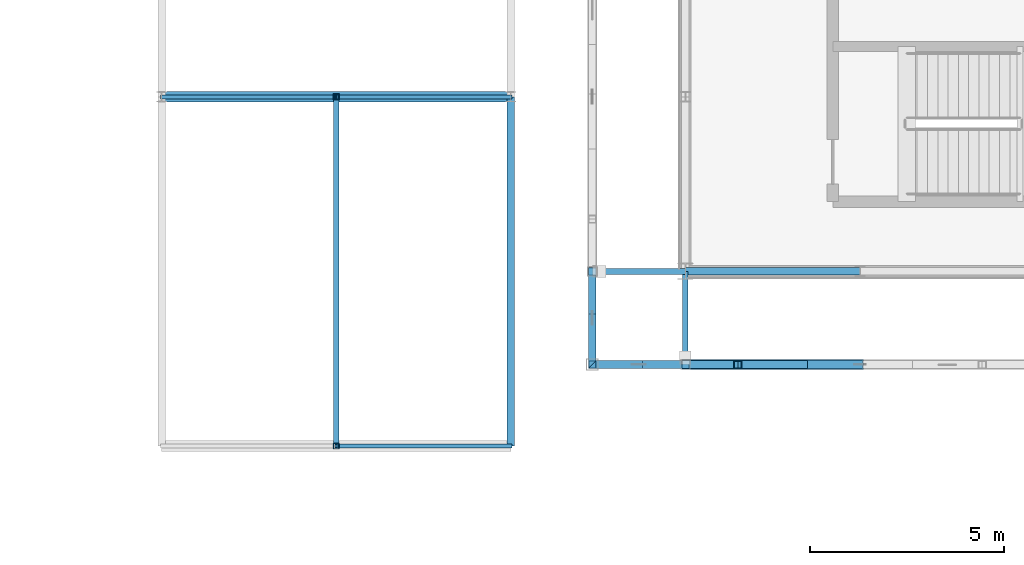
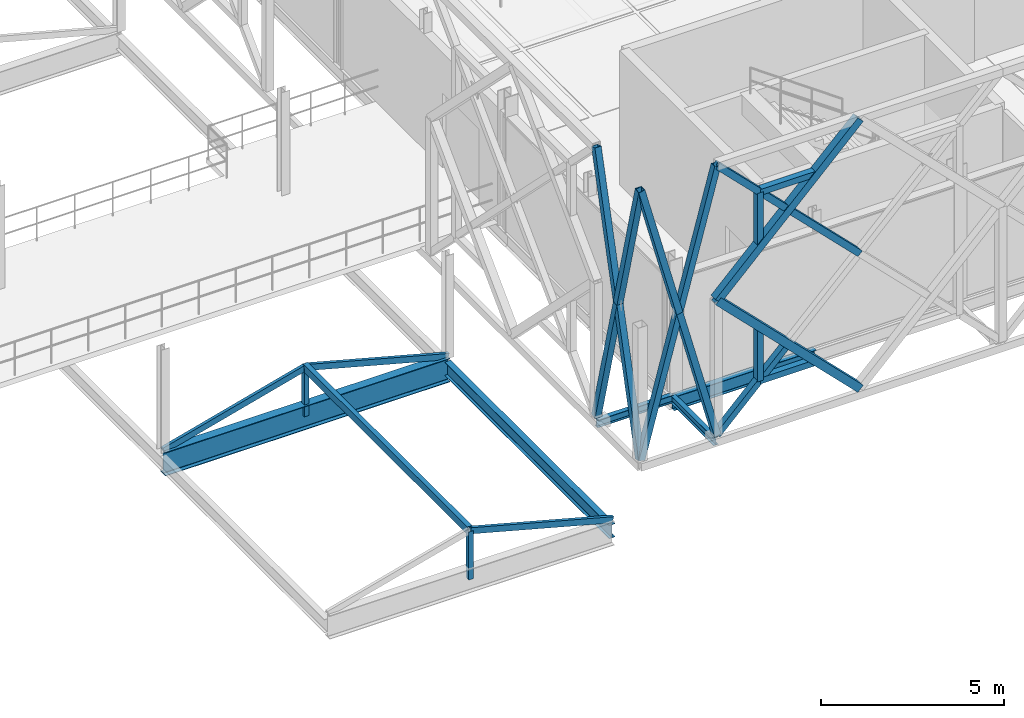
# One storey, part 20 of 140: 20 members, 6 beams.
"""IFC4 building model written with IfcOpenShell, lengths in metres."""

from ifc_helpers import new_model, si_unit, direction, frame, origin, origin_2d, place, context, subcontext, project, spatial, hollow_rectangle, i_section, extrude, material, material_profile, profile_set, type_object, element, save


model = new_model("IFC4")

# Units and contexts
model_context = context("Model", 3, precision=1e-05, world=origin(), true_north=direction((0.0, 1.0)))
body_context = subcontext(model_context, "Body", "Model", "MODEL_VIEW")
ifc_project = project(units=[si_unit("LENGTHUNIT", "METRE"), si_unit("AREAUNIT", "SQUARE_METRE"), si_unit("VOLUMEUNIT", "CUBIC_METRE"), si_unit("PLANEANGLEUNIT", "RADIAN"), si_unit("MASSUNIT", "GRAM", prefix="KILO"), si_unit("THERMODYNAMICTEMPERATUREUNIT", "KELVIN"), si_unit("POWERUNIT", "WATT")], contexts=[model_context])

# Site, building, storey
site_placement = place(None, origin())
site = spatial("IfcSite", under=ifc_project, at=site_placement, CompositionType="ELEMENT")
building_placement = place(site_placement, origin())
building = spatial("IfcBuilding", under=site, at=building_placement, Name="Tallowbark Science Centre", CompositionType="ELEMENT")
storey_placement = place(building_placement, frame((0.0, 0.0, 9.89990234375)))
storey = spatial("IfcBuildingStorey", under=building, at=storey_placement, Name="L02", CompositionType="ELEMENT", Elevation=9.89990234375)

# Beams
ifc_material_1 = material(Name="White Architectural Painted Steel Grade C350L0 (350 MPa)", Category="steel")
ifc_material_profile_1 = material_profile(ifc_material_1, i_section(OverallWidth=0.146484375, OverallDepth=0.256103515625, WebThickness=0.00634765625, FlangeThickness=0.010986328125, FilletRadius=0.0087890625, at=origin_2d()), Name="250UB37.3")
ifc_profile_set_1 = profile_set([ifc_material_profile_1], Name="White Architectural Painted Steel Grade C350L0 (350 MPa)")
beam_type_1 = type_object("IfcBeamType", Name="BM-OUT250", PredefinedType="BEAM", material=ifc_profile_set_1)
for number, where, z_axis, x_axis, name in (
    (1, (58.5, 4.5, -0.25), (0.0, -1.0, 0.0), (1.0, 0.0, 0.0), "Star Screen Outrigger Tie Beam S-19"),
    (2, (58.5, 4.5, -0.25), (-1.0, 0.0, 0.0), (0.0, -1.0, 0.0), "Star Screen Outrigger Tie Beam W-30"),
):
    element("IfcBeam", number, at=place(storey_placement, frame(where, z_axis=z_axis, x_axis=x_axis)), inside=storey, type_object=beam_type_1, Name=name, PredefinedType="BEAM", context=body_context, shape_type="SweptSolid", body=[
        extrude(i_section(OverallWidth=0.146484375, OverallDepth=0.256103515625, WebThickness=0.00634765625, FlangeThickness=0.010986328125, FilletRadius=0.0087890625, at=origin_2d()), origin(), (0.0, 0.0, 1.0), 2.39990234375),
    ])
ifc_material_2 = material(Name="Structural Steel Grade 300PLUS (300 MPa)", Category="steel")
ifc_material_profile_2 = material_profile(ifc_material_2, i_section(OverallWidth=0.27490234375, OverallDepth=0.7919921875, WebThickness=0.011962890625, FlangeThickness=0.02001953125, FilletRadius=0.013916015625, at=origin_2d()), Name="800WB146")
ifc_profile_set_2 = profile_set([ifc_material_profile_2], Name="Structural Steel Grade 300PLUS (300 MPa)")
beam_type_2 = type_object("IfcBeamType", Name="BM-WB800", PredefinedType="BEAM", material=ifc_profile_set_2)
beam_1_placement = place(storey_placement, frame((45.0, 9.0, -0.39990234375), z_axis=(1.0, 0.0, 0.0), x_axis=(0.0, 1.0, 0.0)))
element("IfcBeam", 3, at=beam_1_placement, inside=storey, type_object=beam_type_2, Name="Passage Skylight Tie Beam 2", PredefinedType="BEAM", context=body_context, shape_type="SweptSolid", body=[
    extrude(i_section(OverallWidth=0.27490234375, OverallDepth=0.7919921875, WebThickness=0.011962890625, FlangeThickness=0.02001953125, FilletRadius=0.013916015625, at=origin_2d()), origin(), (0.0, 0.0, 1.0), 9.0),
])

# Members
ifc_material_3 = material(Name="Structural Steel Grade C350L0 (350 MPa)", Category="steel")
ifc_material_profile_3 = material_profile(ifc_material_3, hollow_rectangle(XDim=0.10009765625, YDim=0.199951171875, WallThickness=0.006103515625, at=origin_2d()), Name="200x100x6.0RHS")
ifc_profile_set_3 = profile_set([ifc_material_profile_3], Name="Structural Steel Grade C350L0 (350 MPa)")
member_type_1 = type_object("IfcMemberType", Name="RFT-200RHS", PredefinedType="RAFTER", material=ifc_profile_set_3)
for number, where, z_axis, x_axis, name in (
    (4, (49.5, 0.0, 1.205810546875), (0.965923723713, 0.0, -0.258826891896), (0.0, 1.0, 0.0), "Passage Skylight East Rafter 1"),
    (5, (45.0, 9.0, 0.0), (0.965923723713, 0.0, 0.258826891896), (0.0, 1.0, 0.0), "Passage Skylight West Rafter 2"),
    (6, (49.5, 9.0, 1.205810546875), (0.965923723713, 0.0, -0.258826891896), (0.0, 1.0, 0.0), "Passage Skylight East Rafter 2"),
):
    element("IfcMember", number, at=place(storey_placement, frame(where, z_axis=z_axis, x_axis=x_axis)), inside=storey, type_object=member_type_1, Name=name, PredefinedType="RAFTER", context=body_context, shape_type="SweptSolid", body=[
        extrude(hollow_rectangle(XDim=0.10009765625, YDim=0.199951171875, WallThickness=0.006103515625, at=origin_2d()), origin(), (0.0, 0.0, 1.0), 4.65869140625),
    ])
ifc_material_profile_4 = material_profile(ifc_material_1, hollow_rectangle(XDim=0.25, YDim=0.25, WallThickness=0.009033203125, at=origin_2d()), Name="250x250x9.0SHS")
ifc_profile_set_4 = profile_set([ifc_material_profile_4], Name="White Architectural Painted Steel Grade C350L0 (350 MPa)")
member_type_2 = type_object("IfcMemberType", Name="SCR-CHD200", PredefinedType="CHORD", material=ifc_profile_set_4)
for number, where, z_axis, x_axis, name in (
    (7, (63.0, 2.10009765625, 9.0), (-0.707106781187, 0.0, -0.707106781187), (0.0, -1.0, 0.0), "Star Screen Octagram Diamond Chord S-17-3"),
    (8, (58.5, 2.10009765625, 4.5), (0.707106781187, 0.0, -0.707106781187), (0.0, 1.0, 0.0), "Star Screen Octagram Diamond Chord S-17-4"),
):
    element("IfcMember", number, at=place(storey_placement, frame(where, z_axis=z_axis, x_axis=x_axis)), inside=storey, type_object=member_type_2, Name=name, PredefinedType="CHORD", context=body_context, shape_type="SweptSolid", body=[
        extrude(hollow_rectangle(XDim=0.25, YDim=0.25, WallThickness=0.009033203125, at=origin_2d()), origin(), (0.0, 0.0, 1.0), 6.364013671875),
    ])
ifc_material_profile_5 = material_profile(ifc_material_1, hollow_rectangle(XDim=0.199951171875, YDim=0.199951171875, WallThickness=0.009033203125, at=origin_2d()), Name="200x200x9.0SHS")
ifc_profile_set_5 = profile_set([ifc_material_profile_5], Name="White Architectural Painted Steel Grade C350L0 (350 MPa)")
member_type_3 = type_object("IfcMemberType", Name="SCR-STAR139", PredefinedType="BRACE", material=ifc_profile_set_5)
for number, where, z_axis, x_axis, name in (
    (9, (58.5, 2.10009765625, 0.0), (0.707106781187, 0.0, 0.707106781187), (0.0, 1.0, 0.0), "Star Screen Continuous X-Diagonal D1A S-17"),
    (10, (58.5, 2.10009765625, 9.0), (0.707106781187, 0.0, -0.707106781187), (0.0, 1.0, 0.0), "Star Screen Split X-Diagonal D2A S-17"),
    (11, (60.75, 2.10009765625, 6.75), (0.707106781187, 0.0, -0.707106781187), (0.0, 1.0, 0.0), "Star Screen Split X-Diagonal D2B S-17"),
):
    element("IfcMember", number, at=place(storey_placement, frame(where, z_axis=z_axis, x_axis=x_axis)), inside=storey, type_object=member_type_3, Name=name, PredefinedType="BRACE", context=body_context, shape_type="SweptSolid", body=[
        extrude(hollow_rectangle(XDim=0.199951171875, YDim=0.199951171875, WallThickness=0.009033203125, at=origin_2d()), origin(), (0.0, 0.0, 1.0), 3.181884765625),
    ])
member_1_placement = place(storey_placement, frame((56.10009765625, 2.10009765625, 0.0), z_axis=(0.257652862255, 0.0, 0.966237549763), x_axis=(0.0, 1.0, 0.0)))
element("IfcMember", 12, at=member_1_placement, inside=storey, type_object=member_type_3, Name="Star Screen Corner Continuous Diagonal SWX-L02", PredefinedType="BRACE", context=body_context, shape_type="SweptSolid", body=[
    extrude(hollow_rectangle(XDim=0.199951171875, YDim=0.199951171875, WallThickness=0.009033203125, at=origin_2d()), origin(), (0.0, 0.0, 1.0), 9.314453125),
])
for number, where, z_axis, x_axis, name in (
    (13, (58.5, 2.10009765625, 0.0), (-0.257652862255, 0.0, 0.966237549763), (0.0, -1.0, 0.0), "Star Screen Corner Split Diagonal A SWX-L02"),
    (14, (57.300048828125, 2.10009765625, 4.5), (-0.257652862255, 0.0, 0.966237549763), (0.0, -1.0, 0.0), "Star Screen Corner Split Diagonal B SWX-L02"),
):
    element("IfcMember", number, at=place(storey_placement, frame(where, z_axis=z_axis, x_axis=x_axis)), inside=storey, type_object=member_type_3, Name=name, PredefinedType="BRACE", context=body_context, shape_type="SweptSolid", body=[
        extrude(hollow_rectangle(XDim=0.199951171875, YDim=0.199951171875, WallThickness=0.009033203125, at=origin_2d()), origin(), (0.0, 0.0, 1.0), 4.6572265625),
    ])
member_2_placement = place(storey_placement, frame((56.10009765625, 2.10009765625, 0.0), z_axis=(0.0, 0.257652862255, 0.966237549763), x_axis=(-1.0, 0.0, 0.0)))
element("IfcMember", 15, at=member_2_placement, inside=storey, type_object=member_type_3, Name="Star Screen Corner Continuous Diagonal SWY-L02", PredefinedType="BRACE", context=body_context, shape_type="SweptSolid", body=[
    extrude(hollow_rectangle(XDim=0.199951171875, YDim=0.199951171875, WallThickness=0.009033203125, at=origin_2d()), origin(), (0.0, 0.0, 1.0), 9.314453125),
])
for number, where, z_axis, x_axis, name in (
    (16, (56.10009765625, 4.5, 0.0), (0.0, -0.257652862255, 0.966237549763), (1.0, 0.0, 0.0), "Star Screen Corner Split Diagonal A SWY-L02"),
    (17, (56.10009765625, 3.300048828125, 4.5), (0.0, -0.257652862255, 0.966237549763), (1.0, 0.0, 0.0), "Star Screen Corner Split Diagonal B SWY-L02"),
):
    element("IfcMember", number, at=place(storey_placement, frame(where, z_axis=z_axis, x_axis=x_axis)), inside=storey, type_object=member_type_3, Name=name, PredefinedType="BRACE", context=body_context, shape_type="SweptSolid", body=[
        extrude(hollow_rectangle(XDim=0.199951171875, YDim=0.199951171875, WallThickness=0.009033203125, at=origin_2d()), origin(), (0.0, 0.0, 1.0), 4.6572265625),
    ])
ifc_material_profile_6 = material_profile(ifc_material_1, hollow_rectangle(XDim=0.199951171875, YDim=0.199951171875, WallThickness=0.009033203125, at=origin_2d()), Name="200x200x9.0SHS")
ifc_profile_set_6 = profile_set([ifc_material_profile_6], Name="White Architectural Painted Steel Grade C350L0 (350 MPa)")
member_type_4 = type_object("IfcMemberType", Name="SCR-SUB150", PredefinedType="BRACE", material=ifc_profile_set_6)
member_3_placement = place(storey_placement, frame((59.85009765625, 2.10009765625, 1.35009765625), z_axis=(1.0, 0.0, 0.0), x_axis=(0.0, 1.0, 0.0)))
element("IfcMember", 18, at=member_3_placement, inside=storey, type_object=member_type_4, Name="Star Screen Octagram Point Ray S-17-1", PredefinedType="BRACE", context=body_context, shape_type="SweptSolid", body=[
    extrude(hollow_rectangle(XDim=0.199951171875, YDim=0.199951171875, WallThickness=0.009033203125, at=origin_2d()), origin(), (0.0, 0.0, 1.0), 1.7998046875),
])
member_4_placement = place(storey_placement, frame((59.85009765625, 2.10009765625, 1.35009765625), z_axis=(0.0, 0.0, 1.0), x_axis=(1.0, 0.0, 0.0)))
element("IfcMember", 19, at=member_4_placement, inside=storey, type_object=member_type_4, Name="Star Screen Octagram Point Ray S-17-2", PredefinedType="BRACE", context=body_context, shape_type="SweptSolid", body=[
    extrude(hollow_rectangle(XDim=0.199951171875, YDim=0.199951171875, WallThickness=0.009033203125, at=origin_2d()), origin(), (0.0, 0.0, 1.0), 1.800048828125),
])
member_5_placement = place(storey_placement, frame((59.85009765625, 2.10009765625, 7.650146484375), z_axis=(1.0, 0.0, 0.0), x_axis=(0.0, 1.0, 0.0)))
element("IfcMember", 20, at=member_5_placement, inside=storey, type_object=member_type_4, Name="Star Screen Octagram Point Ray S-17-7", PredefinedType="BRACE", context=body_context, shape_type="SweptSolid", body=[
    extrude(hollow_rectangle(XDim=0.199951171875, YDim=0.199951171875, WallThickness=0.009033203125, at=origin_2d()), origin(), (0.0, 0.0, 1.0), 1.7998046875),
])
member_6_placement = place(storey_placement, frame((59.85009765625, 2.10009765625, 7.650146484375), z_axis=(0.0, 0.0, -1.0), x_axis=(1.0, 0.0, 0.0)))
element("IfcMember", 21, at=member_6_placement, inside=storey, type_object=member_type_4, Name="Star Screen Octagram Point Ray S-17-8", PredefinedType="BRACE", context=body_context, shape_type="SweptSolid", body=[
    extrude(hollow_rectangle(XDim=0.199951171875, YDim=0.199951171875, WallThickness=0.009033203125, at=origin_2d()), origin(), (0.0, 0.0, 1.0), 1.800048828125),
])

# Beams
ifc_material_profile_7 = material_profile(ifc_material_1, hollow_rectangle(XDim=0.14990234375, YDim=0.25, WallThickness=0.009033203125, at=origin_2d()), Name="250x150x9.0RHS")
ifc_profile_set_7 = profile_set([ifc_material_profile_7], Name="White Architectural Painted Steel Grade C350L0 (350 MPa)")
beam_type_3 = type_object("IfcBeamType", Name="SPN-RHS250", PredefinedType="SPANDREL", material=ifc_profile_set_7)
beam_2_placement = place(storey_placement, frame((49.5, 0.0, 1.205810546875), z_axis=(0.0, 1.0, 0.0), x_axis=(-1.0, 0.0, 0.0)))
element("IfcBeam", 22, at=beam_2_placement, inside=storey, type_object=beam_type_3, Name="Passage Skylight Ridge Beam 1", PredefinedType="SPANDREL", context=body_context, shape_type="SweptSolid", body=[
    extrude(hollow_rectangle(XDim=0.14990234375, YDim=0.25, WallThickness=0.009033203125, at=origin_2d()), origin(), (0.0, 0.0, 1.0), 9.0),
])
ifc_material_profile_8 = material_profile(ifc_material_2, i_section(OverallWidth=0.18994140625, OverallDepth=0.453857421875, WebThickness=0.008544921875, FlangeThickness=0.0126953125, FilletRadius=0.011474609375, at=origin_2d()), Name="460UB67.1")
ifc_profile_set_8 = profile_set([ifc_material_profile_8], Name="Structural Steel Grade 300PLUS (300 MPa)")
beam_type_4 = type_object("IfcBeamType", Name="SPN-UB460", PredefinedType="SPANDREL", material=ifc_profile_set_8)
beam_3_placement = place(storey_placement, frame((58.5, 4.5, -0.40673828125), z_axis=(1.0, 0.0, 0.0), x_axis=(0.0, 1.0, 0.0)))
element("IfcBeam", 23, at=beam_3_placement, inside=storey, type_object=beam_type_4, Name="Primary Girder GRDX-L02-585-630-45", PredefinedType="SPANDREL", context=body_context, shape_type="SweptSolid", body=[
    extrude(i_section(OverallWidth=0.18994140625, OverallDepth=0.453857421875, WebThickness=0.008544921875, FlangeThickness=0.0126953125, FilletRadius=0.011474609375, at=origin_2d()), origin(), (0.0, 0.0, 1.0), 4.5),
])
beam_4_placement = place(storey_placement, frame((54.0, 0.0, -0.40673828125), z_axis=(0.0, 1.0, 0.0), x_axis=(-1.0, 0.0, 0.0)))
element("IfcBeam", 24, at=beam_4_placement, inside=storey, type_object=beam_type_4, Name="Primary Girder GRDY-L02-540-0-90", PredefinedType="SPANDREL", context=body_context, shape_type="SweptSolid", body=[
    extrude(i_section(OverallWidth=0.18994140625, OverallDepth=0.453857421875, WebThickness=0.008544921875, FlangeThickness=0.0126953125, FilletRadius=0.011474609375, at=origin_2d()), origin(), (0.0, 0.0, 1.0), 9.0),
])

# Members
ifc_material_profile_9 = material_profile(ifc_material_3, hollow_rectangle(XDim=0.14990234375, YDim=0.14990234375, WallThickness=0.006103515625, at=origin_2d()), Name="150x150x6.0SHS")
ifc_profile_set_9 = profile_set([ifc_material_profile_9], Name="Structural Steel Grade C350L0 (350 MPa)")
member_type_5 = type_object("IfcMemberType", Name="STR-PAS-KP", PredefinedType="POST", material=ifc_profile_set_9)
for number, where, z_axis, x_axis, name in (
    (25, (49.5, 0.0, -0.39990234375), (0.0, 0.0, 1.0), (1.0, 0.0, 0.0), "Passage Skylight Truss King Post 1"),
    (26, (49.5, 9.0, -0.39990234375), (0.0, 0.0, 1.0), (1.0, 0.0, 0.0), "Passage Skylight Truss King Post 2"),
):
    element("IfcMember", number, at=place(storey_placement, frame(where, z_axis=z_axis, x_axis=x_axis)), inside=storey, type_object=member_type_5, Name=name, PredefinedType="POST", context=body_context, shape_type="SweptSolid", body=[
        extrude(hollow_rectangle(XDim=0.14990234375, YDim=0.14990234375, WallThickness=0.006103515625, at=origin_2d()), origin(), (0.0, 0.0, 1.0), 1.605712890625),
    ])

save(model, "model.ifc")
